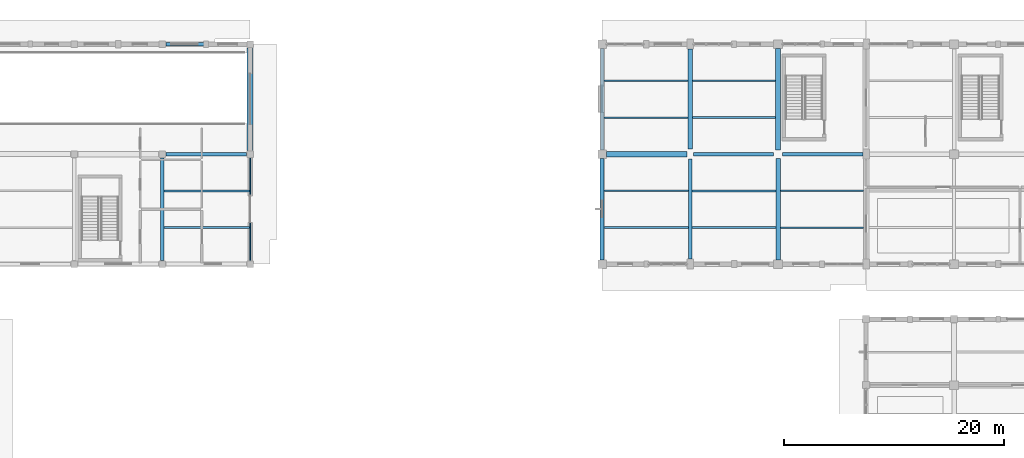
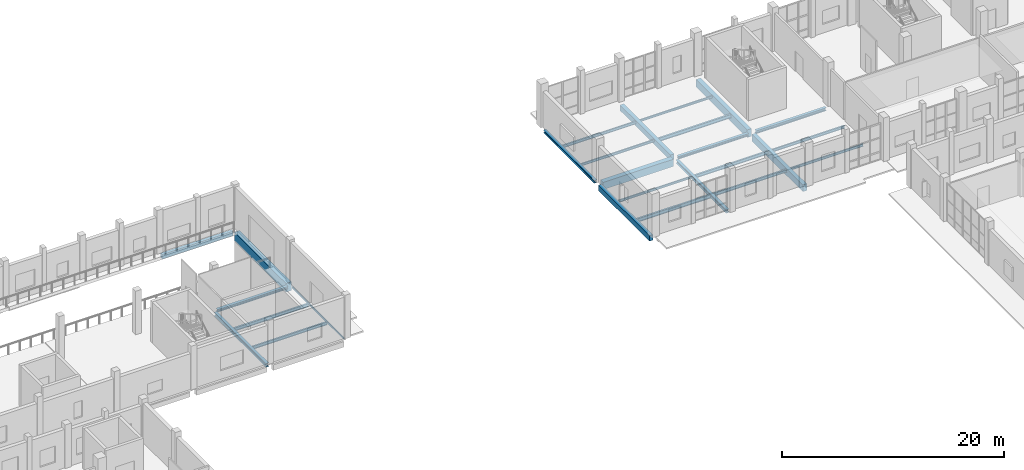
# One storey, part 55 of 156: 26 beams.
"""IFC4 building model written with IfcOpenShell, lengths in metres."""

from ifc_helpers import new_model, si_unit, direction, frame, origin, origin_2d, place, context, subcontext, project, spatial, rectangle, hollow_rectangle, i_section, extrude, material, material_profile, profile_set, type_object, element, save


model = new_model("IFC4")

# Units and contexts
model_context = context("Model", 3, precision=1e-05, world=origin(), true_north=direction((0.0, 1.0)))
body_context = subcontext(model_context, "Body", "Model", "MODEL_VIEW")
ifc_project = project(units=[si_unit("LENGTHUNIT", "METRE"), si_unit("AREAUNIT", "SQUARE_METRE"), si_unit("VOLUMEUNIT", "CUBIC_METRE"), si_unit("PLANEANGLEUNIT", "RADIAN"), si_unit("MASSUNIT", "GRAM", prefix="KILO")], contexts=[model_context])

# Site, building, storey
site_placement = place(None, origin())
site = spatial("IfcSite", under=ifc_project, at=site_placement, CompositionType="ELEMENT")
building_placement = place(site_placement, origin())
building = spatial("IfcBuilding", under=site, at=building_placement, Name="Luwemba Playhouse", CompositionType="ELEMENT")
storey_placement = place(building_placement, origin())
storey = spatial("IfcBuildingStorey", under=building, at=storey_placement, Name="L00", CompositionType="ELEMENT", Elevation=0.0)

# Beams
ifc_material_1 = material(Name="Concrete C40/50", Category="concrete")
ifc_material_profile_1 = material_profile(ifc_material_1, rectangle(XDim=0.39990234375, YDim=0.60009765625, at=origin_2d()))
ifc_profile_set_1 = profile_set([ifc_material_profile_1], Name="Concrete C40/50")
beam_type_1 = type_object("IfcBeamType", Name="BM-RB01", PredefinedType="BEAM", material=ifc_profile_set_1)
beam_1_placement = place(storey_placement, frame((116.0, 105.449951171875, -0.60009765625), z_axis=(0.0, 1.0, 0.0), x_axis=(-1.0, 0.0, 0.0)))
element("IfcBeam", 1, at=beam_1_placement, inside=storey, type_object=beam_type_1, Name="L00 transverse girder 0324", PredefinedType="BEAM", context=body_context, shape_type="SweptSolid", body=[
    extrude(rectangle(XDim=0.39990234375, YDim=0.60009765625, at=origin_2d()), origin(), (0.0, 0.0, 1.0), 9.10009765625),
])
ifc_material_profile_2 = material_profile(ifc_material_1, rectangle(XDim=0.39990234375, YDim=0.75, at=origin_2d()))
ifc_profile_set_2 = profile_set([ifc_material_profile_2], Name="Concrete C40/50")
beam_type_2 = type_object("IfcBeamType", Name="BM-RB03", PredefinedType="BEAM", material=ifc_profile_set_2)
beam_2_placement = place(storey_placement, frame((124.0, 95.39990234375, -0.675048828125), z_axis=(0.0, 1.0, 0.0), x_axis=(-1.0, 0.0, 0.0)))
element("IfcBeam", 2, at=beam_2_placement, inside=storey, type_object=beam_type_2, Name="L00 transverse girder 0325", PredefinedType="BEAM", context=body_context, shape_type="SweptSolid", body=[
    extrude(rectangle(XDim=0.39990234375, YDim=0.75, at=origin_2d()), origin(), (0.0, 0.0, 1.0), 9.2001953125),
])
ifc_material_profile_3 = material_profile(ifc_material_1, rectangle(XDim=0.449951171875, YDim=0.85009765625, at=origin_2d()))
ifc_profile_set_3 = profile_set([ifc_material_profile_3], Name="Concrete C40/50")
beam_type_3 = type_object("IfcBeamType", Name="BM-RB05", PredefinedType="BEAM", material=ifc_profile_set_3)
beam_3_placement = place(storey_placement, frame((124.0, 105.39990234375, -0.72509765625), z_axis=(0.0, 1.0, 0.0), x_axis=(-1.0, 0.0, 0.0)))
element("IfcBeam", 3, at=beam_3_placement, inside=storey, type_object=beam_type_3, Name="L00 transverse girder 0326", PredefinedType="BEAM", context=body_context, shape_type="SweptSolid", body=[
    extrude(rectangle(XDim=0.449951171875, YDim=0.85009765625, at=origin_2d()), origin(), (0.0, 0.0, 1.0), 9.2001953125),
])
ifc_material_profile_4 = material_profile(ifc_material_1, rectangle(XDim=0.5, YDim=0.800048828125, at=origin_2d()))
ifc_profile_set_4 = profile_set([ifc_material_profile_4], Name="Concrete C40/50")
beam_type_4 = type_object("IfcBeamType", Name="BM-RB06", PredefinedType="BEAM", material=ifc_profile_set_4)
beam_4_placement = place(storey_placement, frame((108.39990234375, 105.0, -0.699951171875), z_axis=(1.0, 0.0, 0.0), x_axis=(0.0, 1.0, 0.0)))
element("IfcBeam", 4, at=beam_4_placement, inside=storey, type_object=beam_type_4, Name="L00 grid girder 0305", PredefinedType="BEAM", context=body_context, shape_type="SweptSolid", body=[
    extrude(rectangle(XDim=0.5, YDim=0.800048828125, at=origin_2d()), origin(), (0.0, 0.0, 1.0), 7.300048828125),
])
ifc_material_profile_5 = material_profile(ifc_material_1, rectangle(XDim=0.550048828125, YDim=0.949951171875, at=origin_2d()))
ifc_profile_set_5 = profile_set([ifc_material_profile_5], Name="Concrete C40/50")
beam_type_5 = type_object("IfcBeamType", Name="BM-RB08", PredefinedType="BEAM", material=ifc_profile_set_5)
beam_5_placement = place(storey_placement, frame((76.0, 105.324951171875, -0.81494140625), z_axis=(0.0, 1.0, 0.0), x_axis=(-1.0, 0.0, 0.0)))
element("IfcBeam", 5, at=beam_5_placement, inside=storey, type_object=beam_type_5, Name="L00 transverse girder 0296", PredefinedType="BEAM", context=body_context, shape_type="SweptSolid", body=[
    extrude(rectangle(XDim=0.550048828125, YDim=0.949951171875, at=origin_2d()), origin(), (0.0, 0.0, 1.0), 9.35009765625),
])
ifc_material_2 = material(Name="Steel S355", Category="steel")
ifc_material_profile_6 = material_profile(ifc_material_2, i_section(OverallWidth=0.300048828125, OverallDepth=0.2900390625, WebThickness=0.008544921875, FlangeThickness=0.013916015625, FilletRadius=0.027099609375, at=origin_2d()))
ifc_profile_set_6 = profile_set([ifc_material_profile_6], Name="Steel S355")
beam_type_6 = type_object("IfcBeamType", Name="BM-SB03", PredefinedType="BEAM", material=ifc_profile_set_6)
beam_6_placement = place(storey_placement, frame((68.324951171875, 105.0, -0.485107421875), z_axis=(1.0, 0.0, 0.0), x_axis=(0.0, 1.0, 0.0)))
element("IfcBeam", 6, at=beam_6_placement, inside=storey, type_object=beam_type_6, Name="L00 grid girder 0271", PredefinedType="BEAM", context=body_context, shape_type="SweptSolid", body=[
    extrude(i_section(OverallWidth=0.300048828125, OverallDepth=0.2900390625, WebThickness=0.008544921875, FlangeThickness=0.013916015625, FilletRadius=0.027099609375, at=origin_2d()), origin(), (0.0, 0.0, 1.0), 7.35009765625),
])
beam_7_placement = place(storey_placement, frame((116.300048828125, 105.0, -0.445068359375), z_axis=(1.0, 0.0, 0.0), x_axis=(0.0, 1.0, 0.0)))
element("IfcBeam", 7, at=beam_7_placement, inside=storey, type_object=beam_type_6, Name="L00 grid girder 0306", PredefinedType="BEAM", context=body_context, shape_type="SweptSolid", body=[
    extrude(i_section(OverallWidth=0.300048828125, OverallDepth=0.2900390625, WebThickness=0.008544921875, FlangeThickness=0.013916015625, FilletRadius=0.027099609375, at=origin_2d()), origin(), (0.0, 0.0, 1.0), 7.300048828125),
])
ifc_material_profile_7 = material_profile(ifc_material_2, i_section(OverallWidth=0.300048828125, OverallDepth=0.330078125, WebThickness=0.009521484375, FlangeThickness=0.0166015625, FilletRadius=0.027099609375, at=origin_2d()))
ifc_profile_set_7 = profile_set([ifc_material_profile_7], Name="Steel S355")
beam_type_7 = type_object("IfcBeamType", Name="BM-SB04", PredefinedType="BEAM", material=ifc_profile_set_7)
beam_8_placement = place(storey_placement, frame((124.39990234375, 105.0, -0.465087890625), z_axis=(1.0, 0.0, 0.0), x_axis=(0.0, 1.0, 0.0)))
element("IfcBeam", 8, at=beam_8_placement, inside=storey, type_object=beam_type_7, Name="L00 grid girder 0307", PredefinedType="BEAM", context=body_context, shape_type="SweptSolid", body=[
    extrude(i_section(OverallWidth=0.300048828125, OverallDepth=0.330078125, WebThickness=0.009521484375, FlangeThickness=0.0166015625, FilletRadius=0.027099609375, at=origin_2d()), origin(), (0.0, 0.0, 1.0), 7.300048828125),
])
ifc_material_profile_8 = material_profile(ifc_material_2, i_section(OverallWidth=0.300048828125, OverallDepth=0.389892578125, WebThickness=0.010986328125, FlangeThickness=0.01904296875, FilletRadius=0.027099609375, at=origin_2d()))
ifc_profile_set_8 = profile_set([ifc_material_profile_8], Name="Steel S355")
beam_type_8 = type_object("IfcBeamType", Name="BM-SB05", PredefinedType="BEAM", material=ifc_profile_set_8)
beam_9_placement = place(storey_placement, frame((68.0, 95.324951171875, -0.534912109375), z_axis=(0.0, 1.0, 0.0), x_axis=(-1.0, 0.0, 0.0)))
element("IfcBeam", 9, at=beam_9_placement, inside=storey, type_object=beam_type_8, Name="L00 transverse girder 0294", PredefinedType="BEAM", context=body_context, shape_type="SweptSolid", body=[
    extrude(i_section(OverallWidth=0.300048828125, OverallDepth=0.389892578125, WebThickness=0.010986328125, FlangeThickness=0.01904296875, FilletRadius=0.027099609375, at=origin_2d()), origin(), (0.0, 0.0, 1.0), 9.35009765625),
])
ifc_material_profile_9 = material_profile(ifc_material_2, i_section(OverallWidth=0.300048828125, OverallDepth=0.360107421875, WebThickness=0.012451171875, FlangeThickness=0.0224609375, FilletRadius=0.027099609375, at=origin_2d()))
ifc_profile_set_9 = profile_set([ifc_material_profile_9], Name="Steel S355")
beam_type_9 = type_object("IfcBeamType", Name="BM-SB09", PredefinedType="BEAM", material=ifc_profile_set_9)
beam_10_placement = place(storey_placement, frame((116.0, 95.449951171875, -0.47998046875), z_axis=(0.0, 1.0, 0.0), x_axis=(-1.0, 0.0, 0.0)))
element("IfcBeam", 10, at=beam_10_placement, inside=storey, type_object=beam_type_9, Name="L00 transverse girder 0323", PredefinedType="BEAM", context=body_context, shape_type="SweptSolid", body=[
    extrude(i_section(OverallWidth=0.300048828125, OverallDepth=0.360107421875, WebThickness=0.012451171875, FlangeThickness=0.0224609375, FilletRadius=0.027099609375, at=origin_2d()), origin(), (0.0, 0.0, 1.0), 9.10009765625),
])
ifc_material_profile_10 = material_profile(ifc_material_2, i_section(OverallWidth=0.1201171875, OverallDepth=0.239990234375, WebThickness=0.006103515625, FlangeThickness=0.009765625, FilletRadius=0.014892578125, at=origin_2d()))
ifc_profile_set_10 = profile_set([ifc_material_profile_10], Name="Steel S355")
beam_type_10 = type_object("IfcBeamType", Name="BM-SJ03", PredefinedType="JOIST", material=ifc_profile_set_10)
beam_11_placement = place(storey_placement, frame((108.1708984375, 101.666748046875, -0.419921875), z_axis=(1.0, 0.0, 0.0), x_axis=(0.0, 1.0, 0.0)))
element("IfcBeam", 11, at=beam_11_placement, inside=storey, type_object=beam_type_10, Name="L00 composite floor joist 0215", PredefinedType="JOIST", context=body_context, shape_type="SweptSolid", body=[
    extrude(i_section(OverallWidth=0.1201171875, OverallDepth=0.239990234375, WebThickness=0.006103515625, FlangeThickness=0.009765625, FilletRadius=0.014892578125, at=origin_2d()), origin(), (0.0, 0.0, 1.0), 7.68310546875),
])
beam_12_placement = place(storey_placement, frame((116.196044921875, 111.666748046875, -0.419921875), z_axis=(1.0, 0.0, 0.0), x_axis=(0.0, 1.0, 0.0)))
element("IfcBeam", 12, at=beam_12_placement, inside=storey, type_object=beam_type_10, Name="L00 composite floor joist 0221", PredefinedType="JOIST", context=body_context, shape_type="SweptSolid", body=[
    extrude(i_section(OverallWidth=0.1201171875, OverallDepth=0.239990234375, WebThickness=0.006103515625, FlangeThickness=0.009765625, FilletRadius=0.014892578125, at=origin_2d()), origin(), (0.0, 0.0, 1.0), 7.5830078125),
])
ifc_material_profile_11 = material_profile(ifc_material_2, i_section(OverallWidth=0.135009765625, OverallDepth=0.27001953125, WebThickness=0.006591796875, FlangeThickness=0.01025390625, FilletRadius=0.014892578125, at=origin_2d()))
ifc_profile_set_11 = profile_set([ifc_material_profile_11], Name="Steel S355")
beam_type_11 = type_object("IfcBeamType", Name="BM-SJ04", PredefinedType="JOIST", material=ifc_profile_set_11)
beam_13_placement = place(storey_placement, frame((108.14599609375, 108.333251953125, -0.43505859375), z_axis=(1.0, 0.0, 0.0), x_axis=(0.0, 1.0, 0.0)))
element("IfcBeam", 13, at=beam_13_placement, inside=storey, type_object=beam_type_11, Name="L00 composite floor joist 0216", PredefinedType="JOIST", context=body_context, shape_type="SweptSolid", body=[
    extrude(i_section(OverallWidth=0.135009765625, OverallDepth=0.27001953125, WebThickness=0.006591796875, FlangeThickness=0.01025390625, FilletRadius=0.014892578125, at=origin_2d()), origin(), (0.0, 0.0, 1.0), 7.657958984375),
])
beam_14_placement = place(storey_placement, frame((124.196044921875, 98.333251953125, -0.43505859375), z_axis=(1.0, 0.0, 0.0), x_axis=(0.0, 1.0, 0.0)))
element("IfcBeam", 14, at=beam_14_placement, inside=storey, type_object=beam_type_11, Name="L00 composite floor joist 0222", PredefinedType="JOIST", context=body_context, shape_type="SweptSolid", body=[
    extrude(i_section(OverallWidth=0.135009765625, OverallDepth=0.27001953125, WebThickness=0.006591796875, FlangeThickness=0.01025390625, FilletRadius=0.014892578125, at=origin_2d()), origin(), (0.0, 0.0, 1.0), 7.557861328125),
])
ifc_material_profile_12 = material_profile(ifc_material_2, i_section(OverallWidth=0.14990234375, OverallDepth=0.300048828125, WebThickness=0.007080078125, FlangeThickness=0.0107421875, FilletRadius=0.014892578125, at=origin_2d()))
ifc_profile_set_12 = profile_set([ifc_material_profile_12], Name="Steel S355")
beam_type_12 = type_object("IfcBeamType", Name="BM-SJ05", PredefinedType="JOIST", material=ifc_profile_set_12)
beam_15_placement = place(storey_placement, frame((108.14599609375, 111.666748046875, -0.449951171875), z_axis=(1.0, 0.0, 0.0), x_axis=(0.0, 1.0, 0.0)))
element("IfcBeam", 15, at=beam_15_placement, inside=storey, type_object=beam_type_12, Name="L00 composite floor joist 0217", PredefinedType="JOIST", context=body_context, shape_type="SweptSolid", body=[
    extrude(i_section(OverallWidth=0.14990234375, OverallDepth=0.300048828125, WebThickness=0.007080078125, FlangeThickness=0.0107421875, FilletRadius=0.014892578125, at=origin_2d()), origin(), (0.0, 0.0, 1.0), 7.657958984375),
])
beam_16_placement = place(storey_placement, frame((124.196044921875, 101.666748046875, -0.449951171875), z_axis=(1.0, 0.0, 0.0), x_axis=(0.0, 1.0, 0.0)))
element("IfcBeam", 16, at=beam_16_placement, inside=storey, type_object=beam_type_12, Name="L00 composite floor joist 0223", PredefinedType="JOIST", context=body_context, shape_type="SweptSolid", body=[
    extrude(i_section(OverallWidth=0.14990234375, OverallDepth=0.300048828125, WebThickness=0.007080078125, FlangeThickness=0.0107421875, FilletRadius=0.014892578125, at=origin_2d()), origin(), (0.0, 0.0, 1.0), 7.557861328125),
])
ifc_material_profile_13 = material_profile(ifc_material_2, i_section(OverallWidth=0.159912109375, OverallDepth=0.330078125, WebThickness=0.007568359375, FlangeThickness=0.011474609375, FilletRadius=0.01806640625, at=origin_2d()))
ifc_profile_set_13 = profile_set([ifc_material_profile_13], Name="Steel S355")
beam_type_13 = type_object("IfcBeamType", Name="BM-SJ06", PredefinedType="JOIST", material=ifc_profile_set_13)
beam_17_placement = place(storey_placement, frame((68.14599609375, 98.333251953125, -0.5048828125), z_axis=(1.0, 0.0, 0.0), x_axis=(0.0, 1.0, 0.0)))
element("IfcBeam", 17, at=beam_17_placement, inside=storey, type_object=beam_type_13, Name="L00 composite floor joist 0212", PredefinedType="JOIST", context=body_context, shape_type="SweptSolid", body=[
    extrude(i_section(OverallWidth=0.159912109375, OverallDepth=0.330078125, WebThickness=0.007568359375, FlangeThickness=0.011474609375, FilletRadius=0.01806640625, at=origin_2d()), origin(), (0.0, 0.0, 1.0), 7.80810546875),
])
beam_18_placement = place(storey_placement, frame((116.14599609375, 98.333251953125, -0.465087890625), z_axis=(1.0, 0.0, 0.0), x_axis=(0.0, 1.0, 0.0)))
element("IfcBeam", 18, at=beam_18_placement, inside=storey, type_object=beam_type_13, Name="L00 composite floor joist 0218", PredefinedType="JOIST", context=body_context, shape_type="SweptSolid", body=[
    extrude(i_section(OverallWidth=0.159912109375, OverallDepth=0.330078125, WebThickness=0.007568359375, FlangeThickness=0.011474609375, FilletRadius=0.01806640625, at=origin_2d()), origin(), (0.0, 0.0, 1.0), 7.657958984375),
])
ifc_material_profile_14 = material_profile(ifc_material_2, i_section(OverallWidth=0.169921875, OverallDepth=0.360107421875, WebThickness=0.008056640625, FlangeThickness=0.0126953125, FilletRadius=0.01806640625, at=origin_2d()))
ifc_profile_set_14 = profile_set([ifc_material_profile_14], Name="Steel S355")
beam_type_14 = type_object("IfcBeamType", Name="BM-SJ07", PredefinedType="JOIST", material=ifc_profile_set_14)
beam_19_placement = place(storey_placement, frame((68.14599609375, 101.666748046875, -0.52001953125), z_axis=(1.0, 0.0, 0.0), x_axis=(0.0, 1.0, 0.0)))
element("IfcBeam", 19, at=beam_19_placement, inside=storey, type_object=beam_type_14, Name="L00 composite floor joist 0213", PredefinedType="JOIST", context=body_context, shape_type="SweptSolid", body=[
    extrude(i_section(OverallWidth=0.169921875, OverallDepth=0.360107421875, WebThickness=0.008056640625, FlangeThickness=0.0126953125, FilletRadius=0.01806640625, at=origin_2d()), origin(), (0.0, 0.0, 1.0), 7.80810546875),
])
beam_20_placement = place(storey_placement, frame((116.14599609375, 101.666748046875, -0.47998046875), z_axis=(1.0, 0.0, 0.0), x_axis=(0.0, 1.0, 0.0)))
element("IfcBeam", 20, at=beam_20_placement, inside=storey, type_object=beam_type_14, Name="L00 composite floor joist 0219", PredefinedType="JOIST", context=body_context, shape_type="SweptSolid", body=[
    extrude(i_section(OverallWidth=0.169921875, OverallDepth=0.360107421875, WebThickness=0.008056640625, FlangeThickness=0.0126953125, FilletRadius=0.01806640625, at=origin_2d()), origin(), (0.0, 0.0, 1.0), 7.657958984375),
])
ifc_material_profile_15 = material_profile(ifc_material_2, i_section(OverallWidth=0.179931640625, OverallDepth=0.39990234375, WebThickness=0.008544921875, FlangeThickness=0.013427734375, FilletRadius=0.02099609375, at=origin_2d()))
ifc_profile_set_15 = profile_set([ifc_material_profile_15], Name="Steel S355")
beam_type_15 = type_object("IfcBeamType", Name="BM-SJ08", PredefinedType="JOIST", material=ifc_profile_set_15)
beam_21_placement = place(storey_placement, frame((108.1708984375, 98.333251953125, -0.5), z_axis=(1.0, 0.0, 0.0), x_axis=(0.0, 1.0, 0.0)))
element("IfcBeam", 21, at=beam_21_placement, inside=storey, type_object=beam_type_15, Name="L00 composite floor joist 0214", PredefinedType="JOIST", context=body_context, shape_type="SweptSolid", body=[
    extrude(i_section(OverallWidth=0.179931640625, OverallDepth=0.39990234375, WebThickness=0.008544921875, FlangeThickness=0.013427734375, FilletRadius=0.02099609375, at=origin_2d()), origin(), (0.0, 0.0, 1.0), 7.68310546875),
])
beam_22_placement = place(storey_placement, frame((116.196044921875, 108.333251953125, -0.5), z_axis=(1.0, 0.0, 0.0), x_axis=(0.0, 1.0, 0.0)))
element("IfcBeam", 22, at=beam_22_placement, inside=storey, type_object=beam_type_15, Name="L00 composite floor joist 0220", PredefinedType="JOIST", context=body_context, shape_type="SweptSolid", body=[
    extrude(i_section(OverallWidth=0.179931640625, OverallDepth=0.39990234375, WebThickness=0.008544921875, FlangeThickness=0.013427734375, FilletRadius=0.02099609375, at=origin_2d()), origin(), (0.0, 0.0, 1.0), 7.5830078125),
])
ifc_material_profile_16 = material_profile(ifc_material_1, rectangle(XDim=0.300048828125, YDim=0.5, at=origin_2d()))
ifc_profile_set_16 = profile_set([ifc_material_profile_16], Name="Concrete C40/50")
beam_type_16 = type_object("IfcBeamType", Name="BM-SP1", PredefinedType="SPANDREL", material=ifc_profile_set_16)
beam_23_placement = place(storey_placement, frame((68.324951171875, 115.0, -0.590087890625), z_axis=(1.0, 0.0, 0.0), x_axis=(0.0, 1.0, 0.0)))
element("IfcBeam", 23, at=beam_23_placement, inside=storey, type_object=beam_type_16, Name="L00 grid girder 0280", PredefinedType="SPANDREL", context=body_context, shape_type="SweptSolid", body=[
    extrude(rectangle(XDim=0.300048828125, YDim=0.5, at=origin_2d()), origin(), (0.0, 0.0, 1.0), 7.35009765625),
])
ifc_material_profile_17 = material_profile(ifc_material_1, rectangle(XDim=0.35009765625, YDim=0.60009765625, at=origin_2d()))
ifc_profile_set_17 = profile_set([ifc_material_profile_17], Name="Concrete C40/50")
beam_type_17 = type_object("IfcBeamType", Name="BM-SP3", PredefinedType="SPANDREL", material=ifc_profile_set_17)
beam_24_placement = place(storey_placement, frame((108.0, 95.39990234375, -0.60009765625), z_axis=(0.0, 1.0, 0.0), x_axis=(-1.0, 0.0, 0.0)))
element("IfcBeam", 24, at=beam_24_placement, inside=storey, type_object=beam_type_17, Name="L00 transverse girder 0321", PredefinedType="SPANDREL", context=body_context, shape_type="SweptSolid", body=[
    extrude(rectangle(XDim=0.35009765625, YDim=0.60009765625, at=origin_2d()), origin(), (0.0, 0.0, 1.0), 9.2001953125),
])
ifc_material_profile_18 = material_profile(ifc_material_2, i_section(OverallWidth=0.300048828125, OverallDepth=0.300048828125, WebThickness=0.010986328125, FlangeThickness=0.01904296875, FilletRadius=0.027099609375, at=origin_2d()))
ifc_profile_set_18 = profile_set([ifc_material_profile_18], Name="Steel S355")
beam_type_18 = type_object("IfcBeamType", Name="BM-SSP1", PredefinedType="SPANDREL", material=ifc_profile_set_18)
beam_25_placement = place(storey_placement, frame((108.0, 105.39990234375, -0.449951171875), z_axis=(0.0, 1.0, 0.0), x_axis=(-1.0, 0.0, 0.0)))
element("IfcBeam", 25, at=beam_25_placement, inside=storey, type_object=beam_type_18, Name="L00 transverse girder 0322", PredefinedType="SPANDREL", context=body_context, shape_type="SweptSolid", body=[
    extrude(i_section(OverallWidth=0.300048828125, OverallDepth=0.300048828125, WebThickness=0.010986328125, FlangeThickness=0.01904296875, FilletRadius=0.027099609375, at=origin_2d()), origin(), (0.0, 0.0, 1.0), 9.2001953125),
])
ifc_material_profile_19 = material_profile(ifc_material_2, hollow_rectangle(XDim=0.10009765625, YDim=0.199951171875, WallThickness=0.008056640625, InnerFilletRadius=0.011962890625, OuterFilletRadius=0.02001953125, at=origin_2d()))
ifc_profile_set_19 = profile_set([ifc_material_profile_19], Name="Steel S355")
beam_type_19 = type_object("IfcBeamType", Name="BM-SSP2", PredefinedType="SPANDREL", material=ifc_profile_set_19)
beam_26_placement = place(storey_placement, frame((76.0, 95.324951171875, -0.43994140625), z_axis=(0.0, 1.0, 0.0), x_axis=(-1.0, 0.0, 0.0)))
element("IfcBeam", 26, at=beam_26_placement, inside=storey, type_object=beam_type_19, Name="L00 transverse girder 0295", PredefinedType="SPANDREL", context=body_context, shape_type="SweptSolid", body=[
    extrude(hollow_rectangle(XDim=0.10009765625, YDim=0.199951171875, WallThickness=0.008056640625, InnerFilletRadius=0.011962890625, OuterFilletRadius=0.02001953125, at=origin_2d()), origin(), (0.0, 0.0, 1.0), 9.35009765625),
])

save(model, "model.ifc")
